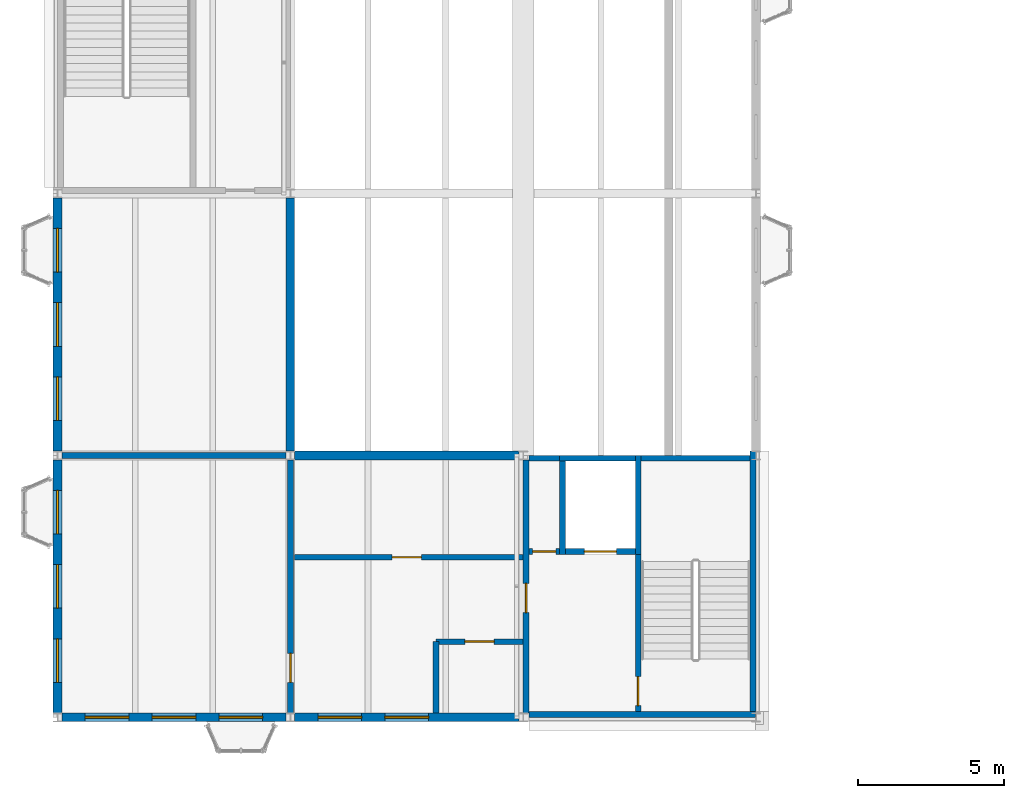
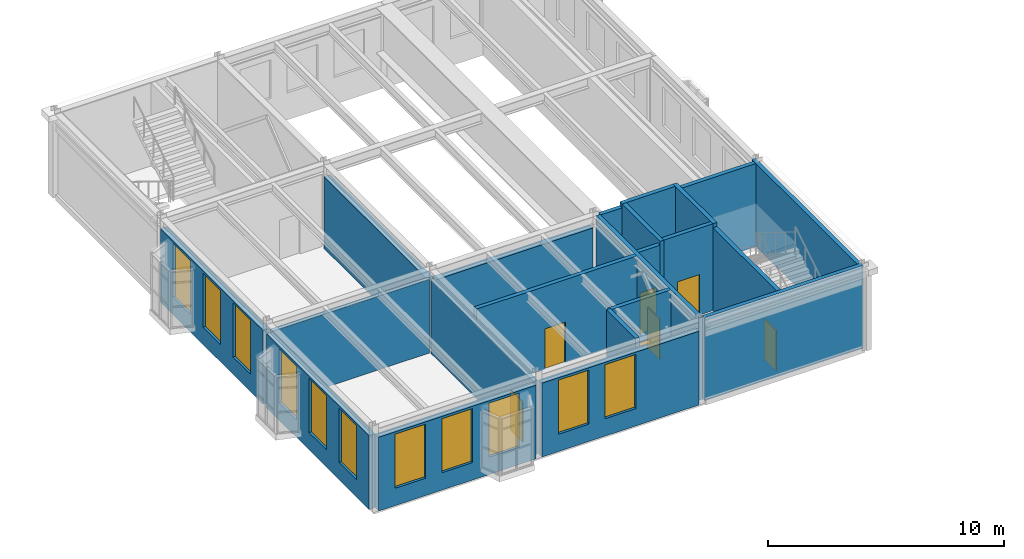
# One storey, part 92 of 153: 22 walls, 11 windows, 7 doors, 18 openings.
"""IFC4 building model written with IfcOpenShell, lengths in metres."""

from ifc_helpers import new_model, si_unit, direction, frame, frame_2d, origin, place, context, subcontext, project, spatial, rectangle, extrude, material, layer, layer_set, type_object, element, fill, save


model = new_model("IFC4")

# Units and contexts
model_context = context("Model", 3, precision=1e-05, world=origin(), true_north=direction((0.0, 1.0)))
body_context = subcontext(model_context, "Body", "Model", "MODEL_VIEW")
ifc_project = project(units=[si_unit("LENGTHUNIT", "METRE"), si_unit("AREAUNIT", "SQUARE_METRE"), si_unit("VOLUMEUNIT", "CUBIC_METRE"), si_unit("PLANEANGLEUNIT", "RADIAN"), si_unit("MASSUNIT", "GRAM", prefix="KILO")], contexts=[model_context])

# Site, building, storey
site_placement = place(None, origin())
site = spatial("IfcSite", under=ifc_project, at=site_placement, CompositionType="ELEMENT")
building_placement = place(site_placement, origin())
building = spatial("IfcBuilding", under=site, at=building_placement, Name="Kallimachos Central Library", CompositionType="ELEMENT")
storey_placement = place(building_placement, frame((0.0, 0.0, 5.39990234375)))
storey = spatial("IfcBuildingStorey", under=building, at=storey_placement, Name="L01", CompositionType="ELEMENT", Elevation=5.39990234375)

# Wall, openings, windows
ifc_material_1 = material(Name="Brick masonry with insulation, U 0.45 W/m2K", Category="masonry")
ifc_layer_1 = layer(ifc_material_1, 0.300048828125)
ifc_layer_set_1 = layer_set([ifc_layer_1], Name="Brick wall 300")
wall_type_1 = type_object("IfcWallType", Name="Brick wall 300", PredefinedType="SOLIDWALL", material=ifc_layer_set_1)
wall_1_placement = place(storey_placement, frame((6.14990234375, 9.0, 0.0), z_axis=(0.0, 0.0, 1.0), x_axis=(1.0, 0.0, 0.0)))
wall_1 = element("IfcWall", 1, at=wall_1_placement, inside=storey, type_object=wall_type_1, Name="V6-WAL-L01-005", PredefinedType="SOLIDWALL", context=body_context, shape_type="SweptSolid", body=[
    extrude(rectangle(XDim=7.7001953125, YDim=0.300048828125, at=frame_2d((3.85009765625, 0.0))), origin(), (0.0, 0.0, 1.0), 3.820068359375),
])
opening_1_placement = place(wall_1_placement, frame((0.800048828125, 0.0, 0.89990234375)))
opening_1 = element("IfcOpeningElement", 2, at=opening_1_placement, cuts=wall_1, Name="Opening WT9", PredefinedType="OPENING", context=body_context, shape_type="SweptSolid", body=[
    extrude(rectangle(XDim=1.5, YDim=2.800048828125, at=frame_2d((0.75, 1.39990234375))), frame((0.0, 0.159912109375, 0.0), z_axis=(0.0, -1.0, 0.0), x_axis=(1.0, 0.0, 0.0)), (0.0, 0.0, 1.0), 0.320068359375),
])
opening_2_placement = place(wall_1_placement, frame((3.10009765625, 0.0, 0.89990234375)))
opening_2 = element("IfcOpeningElement", 3, at=opening_2_placement, cuts=wall_1, Name="Opening WT9", PredefinedType="OPENING", context=body_context, shape_type="SweptSolid", body=[
    extrude(rectangle(XDim=1.5, YDim=2.800048828125, at=frame_2d((0.75, 1.39990234375))), frame((0.0, 0.159912109375, 0.0), z_axis=(0.0, -1.0, 0.0), x_axis=(1.0, 0.0, 0.0)), (0.0, 0.0, 1.0), 0.320068359375),
])
opening_3_placement = place(wall_1_placement, frame((5.39990234375, 0.0, 0.89990234375)))
opening_3 = element("IfcOpeningElement", 4, at=opening_3_placement, cuts=wall_1, Name="Opening WT9", PredefinedType="OPENING", context=body_context, shape_type="SweptSolid", body=[
    extrude(rectangle(XDim=1.5, YDim=2.800048828125, at=frame_2d((0.75, 1.39990234375))), frame((0.0, 0.159912109375, 0.0), z_axis=(0.0, -1.0, 0.0), x_axis=(1.0, 0.0, 0.0)), (0.0, 0.0, 1.0), 0.320068359375),
])
ifc_material_2 = material(Name="Anodised aluminium and laminated glass", Category="aluminium")
window_type = type_object("IfcWindowType", Name="Tall window 1500 x 2800", PartitioningType="SINGLE_PANEL", PredefinedType="WINDOW", material=ifc_material_2)
window_1_placement = place(opening_1_placement, origin())
window_1 = element("IfcWindow", 5, at=window_1_placement, inside=storey, type_object=window_type, Name="V6-WIN-L01-001", OverallHeight=2.800048828125, OverallWidth=1.5, PartitioningType="SINGLE_PANEL", PredefinedType="WINDOW", context=body_context, shape_type="SweptSolid", body=[
    extrude(rectangle(XDim=1.5, YDim=2.800048828125, at=frame_2d((0.75, 1.39990234375))), frame((0.0, 0.030029296875, 0.0), z_axis=(0.0, -1.0, 0.0), x_axis=(1.0, 0.0, 0.0)), (0.0, 0.0, 1.0), 0.06005859375),
])
fill(opening_1, window_1)
window_2_placement = place(opening_2_placement, origin())
window_2 = element("IfcWindow", 6, at=window_2_placement, inside=storey, type_object=window_type, Name="V6-WIN-L01-002", OverallHeight=2.800048828125, OverallWidth=1.5, PartitioningType="SINGLE_PANEL", PredefinedType="WINDOW", context=body_context, shape_type="SweptSolid", body=[
    extrude(rectangle(XDim=1.5, YDim=2.800048828125, at=frame_2d((0.75, 1.39990234375))), frame((0.0, 0.030029296875, 0.0), z_axis=(0.0, -1.0, 0.0), x_axis=(1.0, 0.0, 0.0)), (0.0, 0.0, 1.0), 0.06005859375),
])
fill(opening_2, window_2)
window_3_placement = place(opening_3_placement, origin())
window_3 = element("IfcWindow", 7, at=window_3_placement, inside=storey, type_object=window_type, Name="V6-WIN-L01-003", OverallHeight=2.800048828125, OverallWidth=1.5, PartitioningType="SINGLE_PANEL", PredefinedType="WINDOW", context=body_context, shape_type="SweptSolid", body=[
    extrude(rectangle(XDim=1.5, YDim=2.800048828125, at=frame_2d((0.75, 1.39990234375))), frame((0.0, 0.030029296875, 0.0), z_axis=(0.0, -1.0, 0.0), x_axis=(1.0, 0.0, 0.0)), (0.0, 0.0, 1.0), 0.06005859375),
])
fill(opening_3, window_3)

wall_2_placement = place(storey_placement, frame((14.14990234375, 9.0, 0.0), z_axis=(0.0, 0.0, 1.0), x_axis=(1.0, 0.0, 0.0)))
wall_2 = element("IfcWall", 8, at=wall_2_placement, inside=storey, type_object=wall_type_1, Name="V6-WAL-L01-006", PredefinedType="SOLIDWALL", context=body_context, shape_type="SweptSolid", body=[
    extrude(rectangle(XDim=7.7001953125, YDim=0.300048828125, at=frame_2d((3.85009765625, 0.0))), origin(), (0.0, 0.0, 1.0), 3.820068359375),
])
opening_4_placement = place(wall_2_placement, frame((0.800048828125, 0.0, 0.89990234375)))
opening_4 = element("IfcOpeningElement", 9, at=opening_4_placement, cuts=wall_2, Name="Opening WT9", PredefinedType="OPENING", context=body_context, shape_type="SweptSolid", body=[
    extrude(rectangle(XDim=1.5, YDim=2.800048828125, at=frame_2d((0.75, 1.39990234375))), frame((0.0, 0.159912109375, 0.0), z_axis=(0.0, -1.0, 0.0), x_axis=(1.0, 0.0, 0.0)), (0.0, 0.0, 1.0), 0.320068359375),
])
opening_5_placement = place(wall_2_placement, frame((3.10009765625, 0.0, 0.89990234375)))
opening_5 = element("IfcOpeningElement", 10, at=opening_5_placement, cuts=wall_2, Name="Opening WT9", PredefinedType="OPENING", context=body_context, shape_type="SweptSolid", body=[
    extrude(rectangle(XDim=1.5, YDim=2.800048828125, at=frame_2d((0.75, 1.39990234375))), frame((0.0, 0.159912109375, 0.0), z_axis=(0.0, -1.0, 0.0), x_axis=(1.0, 0.0, 0.0)), (0.0, 0.0, 1.0), 0.320068359375),
])
window_4_placement = place(opening_4_placement, origin())
window_4 = element("IfcWindow", 11, at=window_4_placement, inside=storey, type_object=window_type, Name="V6-WIN-L01-004", OverallHeight=2.800048828125, OverallWidth=1.5, PartitioningType="SINGLE_PANEL", PredefinedType="WINDOW", context=body_context, shape_type="SweptSolid", body=[
    extrude(rectangle(XDim=1.5, YDim=2.800048828125, at=frame_2d((0.75, 1.39990234375))), frame((0.0, 0.030029296875, 0.0), z_axis=(0.0, -1.0, 0.0), x_axis=(1.0, 0.0, 0.0)), (0.0, 0.0, 1.0), 0.06005859375),
])
fill(opening_4, window_4)
window_5_placement = place(opening_5_placement, origin())
window_5 = element("IfcWindow", 12, at=window_5_placement, inside=storey, type_object=window_type, Name="V6-WIN-L01-005", OverallHeight=2.800048828125, OverallWidth=1.5, PartitioningType="SINGLE_PANEL", PredefinedType="WINDOW", context=body_context, shape_type="SweptSolid", body=[
    extrude(rectangle(XDim=1.5, YDim=2.800048828125, at=frame_2d((0.75, 1.39990234375))), frame((0.0, 0.030029296875, 0.0), z_axis=(0.0, -1.0, 0.0), x_axis=(1.0, 0.0, 0.0)), (0.0, 0.0, 1.0), 0.06005859375),
])
fill(opening_5, window_5)

wall_3_placement = place(storey_placement, frame((6.0, 9.14990234375, 0.0), z_axis=(0.0, 0.0, 1.0), x_axis=(0.0, 1.0, 0.0)))
wall_3 = element("IfcWall", 13, at=wall_3_placement, inside=storey, type_object=wall_type_1, Name="V6-WAL-L01-007", PredefinedType="SOLIDWALL", context=body_context, shape_type="SweptSolid", body=[
    extrude(rectangle(XDim=8.7001953125, YDim=0.300048828125, at=frame_2d((4.35009765625, 0.0))), origin(), (0.0, 0.0, 1.0), 3.820068359375),
])
opening_6_placement = place(wall_3_placement, frame((1.050048828125, 0.0, 0.89990234375)))
opening_6 = element("IfcOpeningElement", 14, at=opening_6_placement, cuts=wall_3, Name="Opening WT9", PredefinedType="OPENING", context=body_context, shape_type="SweptSolid", body=[
    extrude(rectangle(XDim=1.5, YDim=2.800048828125, at=frame_2d((0.75, 1.39990234375))), frame((0.0, 0.159912109375, 0.0), z_axis=(0.0, -1.0, 0.0), x_axis=(1.0, 0.0, 0.0)), (0.0, 0.0, 1.0), 0.320068359375),
])
opening_7_placement = place(wall_3_placement, frame((3.60009765625, 0.0, 0.89990234375)))
opening_7 = element("IfcOpeningElement", 15, at=opening_7_placement, cuts=wall_3, Name="Opening WT9", PredefinedType="OPENING", context=body_context, shape_type="SweptSolid", body=[
    extrude(rectangle(XDim=1.5, YDim=2.800048828125, at=frame_2d((0.75, 1.39990234375))), frame((0.0, 0.159912109375, 0.0), z_axis=(0.0, -1.0, 0.0), x_axis=(1.0, 0.0, 0.0)), (0.0, 0.0, 1.0), 0.320068359375),
])
opening_8_placement = place(wall_3_placement, frame((6.14990234375, 0.0, 0.89990234375)))
opening_8 = element("IfcOpeningElement", 16, at=opening_8_placement, cuts=wall_3, Name="Opening WT9", PredefinedType="OPENING", context=body_context, shape_type="SweptSolid", body=[
    extrude(rectangle(XDim=1.5, YDim=2.800048828125, at=frame_2d((0.75, 1.39990234375))), frame((0.0, 0.159912109375, 0.0), z_axis=(0.0, -1.0, 0.0), x_axis=(1.0, 0.0, 0.0)), (0.0, 0.0, 1.0), 0.320068359375),
])
window_6_placement = place(opening_6_placement, origin())
window_6 = element("IfcWindow", 17, at=window_6_placement, inside=storey, type_object=window_type, Name="V6-WIN-L01-006", OverallHeight=2.800048828125, OverallWidth=1.5, PartitioningType="SINGLE_PANEL", PredefinedType="WINDOW", context=body_context, shape_type="SweptSolid", body=[
    extrude(rectangle(XDim=1.5, YDim=2.800048828125, at=frame_2d((0.75, 1.39990234375))), frame((0.0, 0.030029296875, 0.0), z_axis=(0.0, -1.0, 0.0), x_axis=(1.0, 0.0, 0.0)), (0.0, 0.0, 1.0), 0.06005859375),
])
fill(opening_6, window_6)
window_7_placement = place(opening_7_placement, origin())
window_7 = element("IfcWindow", 18, at=window_7_placement, inside=storey, type_object=window_type, Name="V6-WIN-L01-007", OverallHeight=2.800048828125, OverallWidth=1.5, PartitioningType="SINGLE_PANEL", PredefinedType="WINDOW", context=body_context, shape_type="SweptSolid", body=[
    extrude(rectangle(XDim=1.5, YDim=2.800048828125, at=frame_2d((0.75, 1.39990234375))), frame((0.0, 0.030029296875, 0.0), z_axis=(0.0, -1.0, 0.0), x_axis=(1.0, 0.0, 0.0)), (0.0, 0.0, 1.0), 0.06005859375),
])
fill(opening_7, window_7)
window_8_placement = place(opening_8_placement, origin())
window_8 = element("IfcWindow", 19, at=window_8_placement, inside=storey, type_object=window_type, Name="V6-WIN-L01-008", OverallHeight=2.800048828125, OverallWidth=1.5, PartitioningType="SINGLE_PANEL", PredefinedType="WINDOW", context=body_context, shape_type="SweptSolid", body=[
    extrude(rectangle(XDim=1.5, YDim=2.800048828125, at=frame_2d((0.75, 1.39990234375))), frame((0.0, 0.030029296875, 0.0), z_axis=(0.0, -1.0, 0.0), x_axis=(1.0, 0.0, 0.0)), (0.0, 0.0, 1.0), 0.06005859375),
])
fill(opening_8, window_8)

wall_4_placement = place(storey_placement, frame((6.0, 18.14990234375, 0.0), z_axis=(0.0, 0.0, 1.0), x_axis=(0.0, 1.0, 0.0)))
wall_4 = element("IfcWall", 20, at=wall_4_placement, inside=storey, type_object=wall_type_1, Name="V6-WAL-L01-008", PredefinedType="SOLIDWALL", context=body_context, shape_type="SweptSolid", body=[
    extrude(rectangle(XDim=8.7001953125, YDim=0.300048828125, at=frame_2d((4.35009765625, 0.0))), origin(), (0.0, 0.0, 1.0), 3.820068359375),
])
opening_9_placement = place(wall_4_placement, frame((1.050048828125, 0.0, 0.89990234375)))
opening_9 = element("IfcOpeningElement", 21, at=opening_9_placement, cuts=wall_4, Name="Opening WT9", PredefinedType="OPENING", context=body_context, shape_type="SweptSolid", body=[
    extrude(rectangle(XDim=1.5, YDim=2.800048828125, at=frame_2d((0.75, 1.39990234375))), frame((0.0, 0.159912109375, 0.0), z_axis=(0.0, -1.0, 0.0), x_axis=(1.0, 0.0, 0.0)), (0.0, 0.0, 1.0), 0.320068359375),
])
opening_10_placement = place(wall_4_placement, frame((3.60009765625, 0.0, 0.89990234375)))
opening_10 = element("IfcOpeningElement", 22, at=opening_10_placement, cuts=wall_4, Name="Opening WT9", PredefinedType="OPENING", context=body_context, shape_type="SweptSolid", body=[
    extrude(rectangle(XDim=1.5, YDim=2.800048828125, at=frame_2d((0.75, 1.39990234375))), frame((0.0, 0.159912109375, 0.0), z_axis=(0.0, -1.0, 0.0), x_axis=(1.0, 0.0, 0.0)), (0.0, 0.0, 1.0), 0.320068359375),
])
opening_11_placement = place(wall_4_placement, frame((6.14990234375, 0.0, 0.89990234375)))
opening_11 = element("IfcOpeningElement", 23, at=opening_11_placement, cuts=wall_4, Name="Opening WT9", PredefinedType="OPENING", context=body_context, shape_type="SweptSolid", body=[
    extrude(rectangle(XDim=1.5, YDim=2.800048828125, at=frame_2d((0.75, 1.39990234375))), frame((0.0, 0.159912109375, 0.0), z_axis=(0.0, -1.0, 0.0), x_axis=(1.0, 0.0, 0.0)), (0.0, 0.0, 1.0), 0.320068359375),
])
window_9_placement = place(opening_9_placement, origin())
window_9 = element("IfcWindow", 24, at=window_9_placement, inside=storey, type_object=window_type, Name="V6-WIN-L01-009", OverallHeight=2.800048828125, OverallWidth=1.5, PartitioningType="SINGLE_PANEL", PredefinedType="WINDOW", context=body_context, shape_type="SweptSolid", body=[
    extrude(rectangle(XDim=1.5, YDim=2.800048828125, at=frame_2d((0.75, 1.39990234375))), frame((0.0, 0.030029296875, 0.0), z_axis=(0.0, -1.0, 0.0), x_axis=(1.0, 0.0, 0.0)), (0.0, 0.0, 1.0), 0.06005859375),
])
fill(opening_9, window_9)
window_10_placement = place(opening_10_placement, origin())
window_10 = element("IfcWindow", 25, at=window_10_placement, inside=storey, type_object=window_type, Name="V6-WIN-L01-010", OverallHeight=2.800048828125, OverallWidth=1.5, PartitioningType="SINGLE_PANEL", PredefinedType="WINDOW", context=body_context, shape_type="SweptSolid", body=[
    extrude(rectangle(XDim=1.5, YDim=2.800048828125, at=frame_2d((0.75, 1.39990234375))), frame((0.0, 0.030029296875, 0.0), z_axis=(0.0, -1.0, 0.0), x_axis=(1.0, 0.0, 0.0)), (0.0, 0.0, 1.0), 0.06005859375),
])
fill(opening_10, window_10)
window_11_placement = place(opening_11_placement, origin())
window_11 = element("IfcWindow", 26, at=window_11_placement, inside=storey, type_object=window_type, Name="V6-WIN-L01-011", OverallHeight=2.800048828125, OverallWidth=1.5, PartitioningType="SINGLE_PANEL", PredefinedType="WINDOW", context=body_context, shape_type="SweptSolid", body=[
    extrude(rectangle(XDim=1.5, YDim=2.800048828125, at=frame_2d((0.75, 1.39990234375))), frame((0.0, 0.030029296875, 0.0), z_axis=(0.0, -1.0, 0.0), x_axis=(1.0, 0.0, 0.0)), (0.0, 0.0, 1.0), 0.06005859375),
])
fill(opening_11, window_11)

# Wall, opening, door
ifc_material_3 = material(Name="Concrete C30/37", Category="concrete")
ifc_layer_2 = layer(ifc_material_3, 0.199951171875)
ifc_layer_set_2 = layer_set([ifc_layer_2], Name="Core wall 200")
wall_type_2 = type_object("IfcWallType", Name="Core wall 200", PredefinedType="SOLIDWALL", material=ifc_layer_set_2)
wall_5_placement = place(storey_placement, frame((22.10009765625, 9.14990234375, 0.0), z_axis=(0.0, 0.0, 1.0), x_axis=(0.0, 1.0, 0.0)))
wall_5 = element("IfcWall", 27, at=wall_5_placement, inside=storey, type_object=wall_type_2, Name="V6-WAL-L01-018", PredefinedType="SOLIDWALL", context=body_context, shape_type="SweptSolid", body=[
    extrude(rectangle(XDim=8.7001953125, YDim=0.199951171875, at=frame_2d((4.35009765625, 0.0))), origin(), (0.0, 0.0, 1.0), 4.300048828125),
])
opening_12_placement = place(wall_5_placement, frame((3.449951171875, 0.0, 0.0)))
opening_12 = element("IfcOpeningElement", 28, at=opening_12_placement, cuts=wall_5, Name="Opening D355", PredefinedType="OPENING", context=body_context, shape_type="SweptSolid", body=[
    extrude(rectangle(XDim=1.0, YDim=2.10009765625, at=frame_2d((0.5, 1.050048828125))), frame((0.0, 0.10986328125, 0.0), z_axis=(0.0, -1.0, 0.0), x_axis=(1.0, 0.0, 0.0)), (0.0, 0.0, 1.0), 0.219970703125),
])
ifc_material_4 = material(Name="Oak timber", Category="wood")
door_type_1 = type_object("IfcDoorType", Name="Single door 1000 x 2100", OperationType="NOTDEFINED", PredefinedType="DOOR", material=ifc_material_4)
door_1_placement = place(opening_12_placement, frame((1.0, 0.0, 0.0), z_axis=(0.0, 0.0, 1.0), x_axis=(-1.0, 0.0, 0.0)))
door_1 = element("IfcDoor", 29, at=door_1_placement, inside=storey, type_object=door_type_1, Name="Stair Lobby Door", OperationType="SINGLE_SWING_RIGHT", OverallHeight=2.10009765625, OverallWidth=1.0, PredefinedType="DOOR", context=body_context, shape_type="SweptSolid", body=[
    extrude(rectangle(XDim=1.0, YDim=2.10009765625, at=frame_2d((0.5, 1.050048828125))), frame((0.0, 0.02490234375, 0.0), z_axis=(0.0, -1.0, 0.0), x_axis=(1.0, 0.0, 0.0)), (0.0, 0.0, 1.0), 0.050048828125),
])
fill(opening_12, door_1)

# Walls
wall_6_placement = place(storey_placement, frame((22.199951171875, 17.89990234375, 0.0), z_axis=(0.0, 0.0, 1.0), x_axis=(1.0, 0.0, 0.0)))
element("IfcWall", 30, at=wall_6_placement, inside=storey, type_object=wall_type_2, Name="V6-WAL-L01-019", PredefinedType="SOLIDWALL", context=body_context, shape_type="SweptSolid", body=[
    extrude(rectangle(XDim=1.050048828125, YDim=0.199951171875, at=frame_2d((0.52490234375, 0.0))), origin(), (0.0, 0.0, 1.0), 4.300048828125),
])
wall_7_placement = place(storey_placement, frame((25.85009765625, 17.89990234375, 0.0), z_axis=(0.0, 0.0, 1.0), x_axis=(1.0, 0.0, 0.0)))
element("IfcWall", 31, at=wall_7_placement, inside=storey, type_object=wall_type_2, Name="V6-WAL-L01-020", PredefinedType="SOLIDWALL", context=body_context, shape_type="SweptSolid", body=[
    extrude(rectangle(XDim=3.949951171875, YDim=0.199951171875, at=frame_2d((1.97509765625, 0.0))), origin(), (0.0, 0.0, 1.0), 4.300048828125),
])

# Wall, opening, door
wall_8_placement = place(storey_placement, frame((25.949951171875, 9.199951171875, 0.0), z_axis=(0.0, 0.0, 1.0), x_axis=(0.0, 1.0, 0.0)))
wall_8 = element("IfcWall", 32, at=wall_8_placement, inside=storey, type_object=wall_type_2, Name="V6-WAL-L01-021", PredefinedType="SOLIDWALL", context=body_context, shape_type="SweptSolid", body=[
    extrude(rectangle(XDim=5.400146484375, YDim=0.199951171875, at=frame_2d((2.7001953125, 0.0))), origin(), (0.0, 0.0, 1.0), 4.300048828125),
])
opening_13_placement = place(wall_8_placement, frame((0.199951171875, 0.0, 0.0)))
opening_13 = element("IfcOpeningElement", 33, at=opening_13_placement, cuts=wall_8, Name="Opening D346", PredefinedType="OPENING", context=body_context, shape_type="SweptSolid", body=[
    extrude(rectangle(XDim=1.0, YDim=2.10009765625, at=frame_2d((0.5, 1.050048828125))), frame((0.0, 0.10986328125, 0.0), z_axis=(0.0, -1.0, 0.0), x_axis=(1.0, 0.0, 0.0)), (0.0, 0.0, 1.0), 0.219970703125),
])
door_2_placement = place(opening_13_placement, origin())
door_2 = element("IfcDoor", 34, at=door_2_placement, inside=storey, type_object=door_type_1, Name="Stair Door", OperationType="SINGLE_SWING_RIGHT", OverallHeight=2.10009765625, OverallWidth=1.0, PredefinedType="DOOR", context=body_context, shape_type="SweptSolid", body=[
    extrude(rectangle(XDim=1.0, YDim=2.10009765625, at=frame_2d((0.5, 1.050048828125))), frame((0.0, 0.02490234375, 0.0), z_axis=(0.0, -1.0, 0.0), x_axis=(1.0, 0.0, 0.0)), (0.0, 0.0, 1.0), 0.050048828125),
])
fill(opening_13, door_2)

ifc_material_5 = material(Name="Concrete C30/37", Category="concrete")
ifc_layer_3 = layer(ifc_material_5, 0.199951171875)
ifc_layer_set_3 = layer_set([ifc_layer_3], Name="Core wall 200, non-load-bearing")
wall_type_3 = type_object("IfcWallType", Name="Core wall 200, non-load-bearing", PredefinedType="SOLIDWALL", material=ifc_layer_set_3)
wall_9_placement = place(storey_placement, frame((22.199951171875, 14.699951171875, 0.0), z_axis=(0.0, 0.0, 1.0), x_axis=(1.0, 0.0, 0.0)))
wall_9 = element("IfcWall", 35, at=wall_9_placement, inside=storey, type_object=wall_type_3, Name="V6-WAL-L01-022", PredefinedType="SOLIDWALL", context=body_context, shape_type="SweptSolid", body=[
    extrude(rectangle(XDim=1.050048828125, YDim=0.199951171875, at=frame_2d((0.52490234375, 0.0))), origin(), (0.0, 0.0, 1.0), 4.300048828125),
])
opening_14_placement = place(wall_9_placement, frame((0.125, 0.0, 0.0)))
opening_14 = element("IfcOpeningElement", 36, at=opening_14_placement, cuts=wall_9, Name="Opening D347", PredefinedType="OPENING", context=body_context, shape_type="SweptSolid", body=[
    extrude(rectangle(XDim=0.800048828125, YDim=2.10009765625, at=frame_2d((0.39990234375, 1.050048828125))), frame((0.0, 0.10986328125, 0.0), z_axis=(0.0, -1.0, 0.0), x_axis=(1.0, 0.0, 0.0)), (0.0, 0.0, 1.0), 0.219970703125),
])
ifc_material_6 = material(Name="Steel fire door", Category="steel")
door_type_2 = type_object("IfcDoorType", Name="Riser door 800 x 2100", OperationType="NOTDEFINED", PredefinedType="DOOR", material=ifc_material_6)
door_3_placement = place(opening_14_placement, origin())
door_3 = element("IfcDoor", 37, at=door_3_placement, inside=storey, type_object=door_type_2, Name="Riser Door", OperationType="SINGLE_SWING_RIGHT", OverallHeight=2.10009765625, OverallWidth=0.800048828125, PredefinedType="DOOR", context=body_context, shape_type="SweptSolid", body=[
    extrude(rectangle(XDim=0.800048828125, YDim=2.10009765625, at=frame_2d((0.39990234375, 1.050048828125))), frame((0.0, 0.02490234375, 0.0), z_axis=(0.0, -1.0, 0.0), x_axis=(1.0, 0.0, 0.0)), (0.0, 0.0, 1.0), 0.050048828125),
])
fill(opening_14, door_3)

# Walls
ifc_material_7 = material(Name="Concrete C30/37", Category="concrete")
ifc_layer_4 = layer(ifc_material_7, 0.300048828125)
ifc_layer_set_4 = layer_set([ifc_layer_4], Name="Hall wall 300")
wall_type_4 = type_object("IfcWallType", Name="Hall wall 300", PredefinedType="SOLIDWALL", material=ifc_layer_set_4)
wall_10_placement = place(storey_placement, frame((14.0, 18.14990234375, 0.0), z_axis=(0.0, 0.0, 1.0), x_axis=(0.0, 1.0, 0.0)))
element("IfcWall", 38, at=wall_10_placement, inside=storey, type_object=wall_type_4, Name="V6-WAL-L01-013", PredefinedType="SOLIDWALL", context=body_context, shape_type="SweptSolid", body=[
    extrude(rectangle(XDim=8.7001953125, YDim=0.300048828125, at=frame_2d((4.35009765625, 0.0))), origin(), (0.0, 0.0, 1.0), 3.72021484375),
])
wall_11_placement = place(storey_placement, frame((14.14990234375, 18.0, 0.0), z_axis=(0.0, 0.0, 1.0), x_axis=(1.0, 0.0, 0.0)))
element("IfcWall", 39, at=wall_11_placement, inside=storey, type_object=wall_type_4, Name="V6-WAL-L01-014", PredefinedType="SOLIDWALL", context=body_context, shape_type="SweptSolid", body=[
    extrude(rectangle(XDim=7.7001953125, YDim=0.300048828125, at=frame_2d((3.85009765625, 0.0))), origin(), (0.0, 0.0, 1.0), 3.72021484375),
])
ifc_material_8 = material(Name="Concrete C30/37", Category="concrete")
ifc_layer_5 = layer(ifc_material_8, 0.199951171875)
ifc_layer_set_5 = layer_set([ifc_layer_5], Name="Lift shaft wall 200")
wall_type_5 = type_object("IfcWallType", Name="Lift shaft wall 200", PredefinedType="SOLIDWALL", material=ifc_layer_set_5)
wall_12_placement = place(storey_placement, frame((23.25, 17.89990234375, 0.0), z_axis=(0.0, 0.0, 1.0), x_axis=(1.0, 0.0, 0.0)))
element("IfcWall", 40, at=wall_12_placement, inside=storey, type_object=wall_type_5, Name="V6-WAL-L01-001", PredefinedType="SOLIDWALL", context=body_context, shape_type="SweptSolid", body=[
    extrude(rectangle(XDim=2.60009765625, YDim=0.199951171875, at=frame_2d((1.300048828125, 0.0))), origin(), (0.0, 0.0, 1.0), 4.5),
])

# Wall, opening, door
wall_13_placement = place(storey_placement, frame((23.449951171875, 14.699951171875, 0.0), z_axis=(0.0, 0.0, 1.0), x_axis=(1.0, 0.0, 0.0)))
wall_13 = element("IfcWall", 41, at=wall_13_placement, inside=storey, type_object=wall_type_5, Name="V6-WAL-L01-002", PredefinedType="SOLIDWALL", context=body_context, shape_type="SweptSolid", body=[
    extrude(rectangle(XDim=2.400146484375, YDim=0.199951171875, at=frame_2d((1.2001953125, 0.0))), origin(), (0.0, 0.0, 1.0), 4.5),
])
opening_15_placement = place(wall_13_placement, frame((0.64990234375, 0.0, 0.0)))
opening_15 = element("IfcOpeningElement", 42, at=opening_15_placement, cuts=wall_13, Name="Opening LD1100", PredefinedType="OPENING", context=body_context, shape_type="SweptSolid", body=[
    extrude(rectangle(XDim=1.10009765625, YDim=2.10009765625, at=frame_2d((0.550048828125, 1.050048828125))), frame((0.0, 0.10986328125, 0.0), z_axis=(0.0, -1.0, 0.0), x_axis=(1.0, 0.0, 0.0)), (0.0, 0.0, 1.0), 0.219970703125),
])
ifc_material_9 = material(Name="Stainless steel", Category="steel")
door_type_3 = type_object("IfcDoorType", Name="Lift landing door 1100 x 2100", OperationType="SLIDING_TO_LEFT", PredefinedType="DOOR", material=ifc_material_9)
door_4_placement = place(opening_15_placement, origin())
door_4 = element("IfcDoor", 43, at=door_4_placement, inside=storey, type_object=door_type_3, Name="LF14 landing door L01", OperationType="SLIDING_TO_LEFT", OverallHeight=2.10009765625, OverallWidth=1.10009765625, PredefinedType="DOOR", context=body_context, shape_type="SweptSolid", body=[
    extrude(rectangle(XDim=1.10009765625, YDim=2.10009765625, at=frame_2d((0.550048828125, 1.050048828125))), frame((0.0, 0.02490234375, 0.0), z_axis=(0.0, -1.0, 0.0), x_axis=(1.0, 0.0, 0.0)), (0.0, 0.0, 1.0), 0.050048828125),
])
fill(opening_15, door_4)

# Walls
for number, where, z_axis, x_axis, name in (
    (44, (23.35009765625, 14.60009765625, 0.0), (0.0, 0.0, 1.0), (0.0, 1.0, 0.0), "V6-WAL-L01-003"),
    (45, (25.949951171875, 14.60009765625, 0.0), (0.0, 0.0, 1.0), (0.0, 1.0, 0.0), "V6-WAL-L01-004"),
):
    element("IfcWall", number, at=place(storey_placement, frame(where, z_axis=z_axis, x_axis=x_axis)), inside=storey, type_object=wall_type_5, Name=name, PredefinedType="SOLIDWALL", context=body_context, shape_type="SweptSolid", body=[
        extrude(rectangle(XDim=3.39990234375, YDim=0.199951171875, at=frame_2d((1.699951171875, 0.0))), origin(), (0.0, 0.0, 1.0), 4.5),
    ])
ifc_material_10 = material(Name="Plastered block masonry", Category="masonry")
ifc_layer_6 = layer(ifc_material_10, 0.199951171875)
ifc_layer_set_6 = layer_set([ifc_layer_6], Name="Partition 200")
wall_type_6 = type_object("IfcWallType", Name="Partition 200", PredefinedType="PARTITIONING", material=ifc_layer_set_6)
wall_14_placement = place(storey_placement, frame((6.14990234375, 18.0, 0.0), z_axis=(0.0, 0.0, 1.0), x_axis=(1.0, 0.0, 0.0)))
element("IfcWall", 46, at=wall_14_placement, inside=storey, type_object=wall_type_6, Name="V6-WAL-L01-028", PredefinedType="PARTITIONING", context=body_context, shape_type="SweptSolid", body=[
    extrude(rectangle(XDim=7.7001953125, YDim=0.199951171875, at=frame_2d((3.85009765625, 0.0))), origin(), (0.0, 0.0, 1.0), 3.820068359375),
])

# Wall, opening, door
wall_15_placement = place(storey_placement, frame((14.0, 9.14990234375, 0.0), z_axis=(0.0, 0.0, 1.0), x_axis=(0.0, 1.0, 0.0)))
wall_15 = element("IfcWall", 47, at=wall_15_placement, inside=storey, type_object=wall_type_6, Name="V6-WAL-L01-029", PredefinedType="PARTITIONING", context=body_context, shape_type="SweptSolid", body=[
    extrude(rectangle(XDim=8.7001953125, YDim=0.199951171875, at=frame_2d((4.35009765625, 0.0))), origin(), (0.0, 0.0, 1.0), 3.820068359375),
])
opening_16_placement = place(wall_15_placement, frame((1.050048828125, 0.0, 0.0)))
opening_16 = element("IfcOpeningElement", 48, at=opening_16_placement, cuts=wall_15, Name="Opening D367", PredefinedType="OPENING", context=body_context, shape_type="SweptSolid", body=[
    extrude(rectangle(XDim=1.0, YDim=2.10009765625, at=frame_2d((0.5, 1.050048828125))), frame((0.0, 0.10986328125, 0.0), z_axis=(0.0, -1.0, 0.0), x_axis=(1.0, 0.0, 0.0)), (0.0, 0.0, 1.0), 0.219970703125),
])
ifc_material_11 = material(Name="Oak timber", Category="wood")
door_type_4 = type_object("IfcDoorType", Name="Single door 1000 x 2100, EI2 30", OperationType="NOTDEFINED", PredefinedType="DOOR", material=ifc_material_11)
door_5_placement = place(opening_16_placement, frame((1.0, 0.0, 0.0), z_axis=(0.0, 0.0, 1.0), x_axis=(-1.0, 0.0, 0.0)))
door_5 = element("IfcDoor", 49, at=door_5_placement, inside=storey, type_object=door_type_4, Name="Room Door", OperationType="SINGLE_SWING_LEFT", OverallHeight=2.10009765625, OverallWidth=1.0, PredefinedType="DOOR", context=body_context, shape_type="SweptSolid", body=[
    extrude(rectangle(XDim=1.0, YDim=2.10009765625, at=frame_2d((0.5, 1.050048828125))), frame((0.0, 0.02490234375, 0.0), z_axis=(0.0, -1.0, 0.0), x_axis=(1.0, 0.0, 0.0)), (0.0, 0.0, 1.0), 0.050048828125),
])
fill(opening_16, door_5)

# Wall
wall_16_placement = place(storey_placement, frame((19.0, 9.14990234375, 0.0), z_axis=(0.0, 0.0, 1.0), x_axis=(0.0, 1.0, 0.0)))
element("IfcWall", 50, at=wall_16_placement, inside=storey, type_object=wall_type_6, Name="V6-WAL-L01-030", PredefinedType="PARTITIONING", context=body_context, shape_type="SweptSolid", body=[
    extrude(rectangle(XDim=2.4501953125, YDim=0.199951171875, at=frame_2d((1.22509765625, 0.0))), origin(), (0.0, 0.0, 1.0), 4.300048828125),
])

# Wall, opening, door
wall_17_placement = place(storey_placement, frame((19.0, 11.60009765625, 0.0), z_axis=(0.0, 0.0, 1.0), x_axis=(1.0, 0.0, 0.0)))
wall_17 = element("IfcWall", 51, at=wall_17_placement, inside=storey, type_object=wall_type_6, Name="V6-WAL-L01-031", PredefinedType="PARTITIONING", context=body_context, shape_type="SweptSolid", body=[
    extrude(rectangle(XDim=3.0, YDim=0.199951171875, at=frame_2d((1.5, 0.0))), origin(), (0.0, 0.0, 1.0), 4.300048828125),
])
opening_17_placement = place(wall_17_placement, frame((1.0, 0.0, 0.0)))
opening_17 = element("IfcOpeningElement", 52, at=opening_17_placement, cuts=wall_17, Name="Opening D369", PredefinedType="OPENING", context=body_context, shape_type="SweptSolid", body=[
    extrude(rectangle(XDim=1.0, YDim=2.10009765625, at=frame_2d((0.5, 1.050048828125))), frame((0.0, 0.10986328125, 0.0), z_axis=(0.0, -1.0, 0.0), x_axis=(1.0, 0.0, 0.0)), (0.0, 0.0, 1.0), 0.219970703125),
])
door_6_placement = place(opening_17_placement, frame((1.0, 0.0, 0.0), z_axis=(0.0, 0.0, 1.0), x_axis=(-1.0, 0.0, 0.0)))
door_6 = element("IfcDoor", 53, at=door_6_placement, inside=storey, type_object=door_type_4, Name="Accessible WC Door", OperationType="SINGLE_SWING_LEFT", OverallHeight=2.10009765625, OverallWidth=1.0, PredefinedType="DOOR", context=body_context, shape_type="SweptSolid", body=[
    extrude(rectangle(XDim=1.0, YDim=2.10009765625, at=frame_2d((0.5, 1.050048828125))), frame((0.0, 0.02490234375, 0.0), z_axis=(0.0, -1.0, 0.0), x_axis=(1.0, 0.0, 0.0)), (0.0, 0.0, 1.0), 0.050048828125),
])
fill(opening_17, door_6)

wall_18_placement = place(storey_placement, frame((14.14990234375, 14.5, 0.0), z_axis=(0.0, 0.0, 1.0), x_axis=(1.0, 0.0, 0.0)))
wall_18 = element("IfcWall", 54, at=wall_18_placement, inside=storey, type_object=wall_type_6, Name="V6-WAL-L01-032", PredefinedType="PARTITIONING", context=body_context, shape_type="SweptSolid", body=[
    extrude(rectangle(XDim=7.85009765625, YDim=0.199951171875, at=frame_2d((3.925048828125, 0.0))), origin(), (0.0, 0.0, 1.0), 4.300048828125),
])
opening_18_placement = place(wall_18_placement, frame((3.35009765625, 0.0, 0.0)))
opening_18 = element("IfcOpeningElement", 55, at=opening_18_placement, cuts=wall_18, Name="Opening D371", PredefinedType="OPENING", context=body_context, shape_type="SweptSolid", body=[
    extrude(rectangle(XDim=1.0, YDim=2.10009765625, at=frame_2d((0.5, 1.050048828125))), frame((0.0, 0.10986328125, 0.0), z_axis=(0.0, -1.0, 0.0), x_axis=(1.0, 0.0, 0.0)), (0.0, 0.0, 1.0), 0.219970703125),
])
door_7_placement = place(opening_18_placement, origin())
door_7 = element("IfcDoor", 56, at=door_7_placement, inside=storey, type_object=door_type_4, Name="Meeting Room Door", OperationType="SINGLE_SWING_RIGHT", OverallHeight=2.10009765625, OverallWidth=1.0, PredefinedType="DOOR", context=body_context, shape_type="SweptSolid", body=[
    extrude(rectangle(XDim=1.0, YDim=2.10009765625, at=frame_2d((0.5, 1.050048828125))), frame((0.0, 0.02490234375, 0.0), z_axis=(0.0, -1.0, 0.0), x_axis=(1.0, 0.0, 0.0)), (0.0, 0.0, 1.0), 0.050048828125),
])
fill(opening_18, door_7)

# Walls
ifc_material_12 = material(Name="Concrete C30/37", Category="concrete")
ifc_layer_7 = layer(ifc_material_12, 0.199951171875)
ifc_layer_set_7 = layer_set([ifc_layer_7], Name="Stone-clad core wall 200")
wall_type_7 = type_object("IfcWallType", Name="Stone-clad core wall 200", PredefinedType="SOLIDWALL", material=ifc_layer_set_7)
wall_19_placement = place(storey_placement, frame((22.199951171875, 9.10009765625, 0.0), z_axis=(0.0, 0.0, 1.0), x_axis=(1.0, 0.0, 0.0)))
element("IfcWall", 57, at=wall_19_placement, inside=storey, type_object=wall_type_7, Name="V6-WAL-L01-016", PredefinedType="SOLIDWALL", context=body_context, shape_type="SweptSolid", body=[
    extrude(rectangle(XDim=7.7900390625, YDim=0.199951171875, at=frame_2d((3.89501953125, 0.0))), origin(), (0.0, 0.0, 1.0), 4.300048828125),
])
wall_20_placement = place(storey_placement, frame((29.89990234375, 9.199951171875, 0.0), z_axis=(0.0, 0.0, 1.0), x_axis=(0.0, 1.0, 0.0)))
element("IfcWall", 58, at=wall_20_placement, inside=storey, type_object=wall_type_7, Name="V6-WAL-L01-017", PredefinedType="SOLIDWALL", context=body_context, shape_type="SweptSolid", body=[
    extrude(rectangle(XDim=8.949951171875, YDim=0.199951171875, at=frame_2d((4.47509765625, 0.0))), origin(), (0.0, 0.0, 1.0), 4.300048828125),
])

save(model, "model.ifc")
